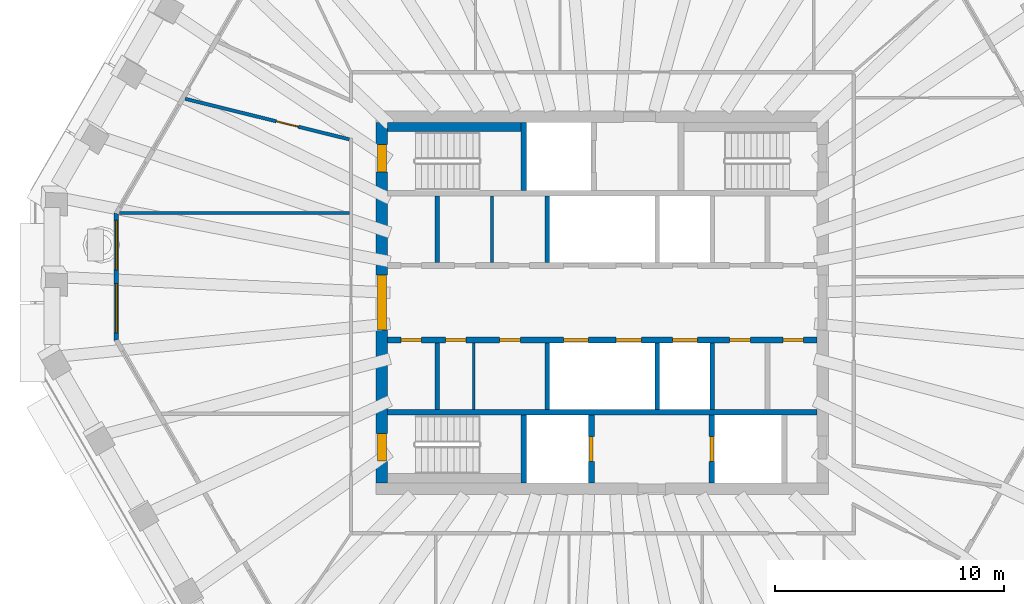
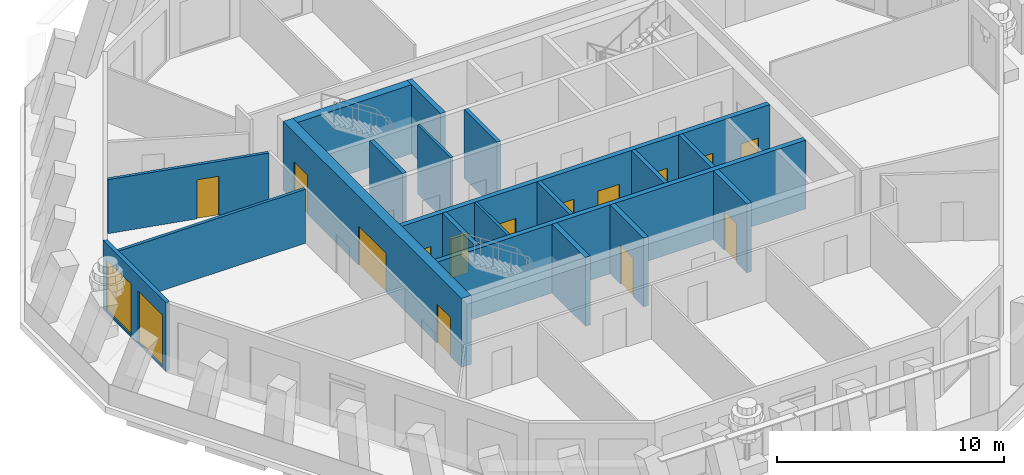
# One storey, part 4 of 11: 19 walls, 14 doors, 2 windows, 16 openings.
"""IFC4 building model written with IfcOpenShell, lengths in metres."""

from ifc_helpers import new_model, si_unit, direction, frame, frame_2d, origin, place, context, subcontext, project, spatial, polyline, rectangle, outline, extrude, material, layer, layer_set, type_object, element, fill, save


model = new_model("IFC4")

# Units and contexts
model_context = context("Model", 3, precision=1e-05, world=origin(), true_north=direction((0.0, 1.0)))
body_context = subcontext(model_context, "Body", "Model", "MODEL_VIEW")
ifc_project = project(units=[si_unit("LENGTHUNIT", "METRE"), si_unit("AREAUNIT", "SQUARE_METRE"), si_unit("VOLUMEUNIT", "CUBIC_METRE"), si_unit("PLANEANGLEUNIT", "RADIAN"), si_unit("MASSUNIT", "GRAM", prefix="KILO")], contexts=[model_context])

# Site, building, storey
site_placement = place(None, origin())
site = spatial("IfcSite", under=ifc_project, at=site_placement, CompositionType="ELEMENT")
building_placement = place(site_placement, origin())
building = spatial("IfcBuilding", under=site, at=building_placement, Name="Frailejon Research Tower", CompositionType="ELEMENT")
storey_placement = place(building_placement, frame((0.0, 0.0, 299.0)))
storey = spatial("IfcBuildingStorey", under=building, at=storey_placement, Name="L66", CompositionType="ELEMENT", Elevation=299.0)

# Walls
ifc_material_1 = material(Name="Plasterboard on steel studs", Category="steel")
ifc_layer_1 = layer(ifc_material_1, 0.125)
ifc_layer_set_1 = layer_set([ifc_layer_1], Name="Core partition 125")
wall_type_1 = type_object("IfcWallType", Name="Core partition 125", PredefinedType="PARTITIONING", material=ifc_layer_set_1)
for number, where, z_axis, x_axis, name in (
    (1, (-4.800048828125, 1.75, 0.0), (0.0, 0.0, 1.0), (0.0, 1.0, 0.0), "Core partition"),
    (2, (-5.60009765625, -4.64990234375, 0.0), (0.0, 0.0, 1.0), (0.0, 1.0, 0.0), "Core partition"),
):
    element("IfcWall", number, at=place(storey_placement, frame(where, z_axis=z_axis, x_axis=x_axis)), inside=storey, type_object=wall_type_1, Name=name, PredefinedType="PARTITIONING", context=body_context, shape_type="SweptSolid", body=[
        extrude(rectangle(XDim=2.89990234375, YDim=0.125, at=frame_2d((1.449951171875, 0.0))), origin(), (0.0, 0.0, 1.0), 3.699951171875),
    ])

# Wall, openings, doors
ifc_material_2 = material(Name="Concrete C50/60", Category="concrete")
ifc_layer_2 = layer(ifc_material_2, 0.5)
ifc_layer_set_2 = layer_set([ifc_layer_2], Name="Core shear wall 500 C50/60")
wall_type_2 = type_object("IfcWallType", Name="Core shear wall 500 C50/60", PredefinedType="SHEAR", material=ifc_layer_set_2)
wall_1_placement = place(storey_placement, frame((-9.60009765625, -7.85009765625, 0.0), z_axis=(0.0, 0.0, 1.0), x_axis=(0.0, 1.0, 0.0)))
wall_1 = element("IfcWall", 3, at=wall_1_placement, inside=storey, type_object=wall_type_2, Name="Core shear wall", PredefinedType="SHEAR", context=body_context, shape_type="SweptSolid", body=[
    extrude(rectangle(XDim=15.7001953125, YDim=0.5, at=frame_2d((7.85009765625, 0.0))), origin(), (0.0, 0.0, 1.0), 3.699951171875),
])
opening_1_placement = place(wall_1_placement, frame((6.64990234375, 0.0, 0.0)))
opening_1 = element("IfcOpeningElement", 4, at=opening_1_placement, cuts=wall_1, Name="Opening D2", PredefinedType="OPENING", context=body_context, shape_type="SweptSolid", body=[
    extrude(rectangle(XDim=2.39990234375, YDim=2.10009765625, at=frame_2d((1.199951171875, 1.050048828125))), frame((0.0, 0.260009765625, 0.0), z_axis=(0.0, -1.0, 0.0), x_axis=(1.0, 0.0, 0.0)), (0.0, 0.0, 1.0), 0.52001953125),
])
opening_2_placement = place(wall_1_placement, frame((13.550048828125, 0.0, 0.0)))
opening_2 = element("IfcOpeningElement", 5, at=opening_2_placement, cuts=wall_1, Name="Opening D1", PredefinedType="OPENING", context=body_context, shape_type="SweptSolid", body=[
    extrude(rectangle(XDim=1.199951171875, YDim=2.10009765625, at=frame_2d((0.60009765625, 1.050048828125))), frame((0.0, 0.260009765625, 0.0), z_axis=(0.0, -1.0, 0.0), x_axis=(1.0, 0.0, 0.0)), (0.0, 0.0, 1.0), 0.52001953125),
])
opening_3_placement = place(wall_1_placement, frame((0.949951171875, 0.0, 0.0)))
opening_3 = element("IfcOpeningElement", 6, at=opening_3_placement, cuts=wall_1, Name="Opening D1", PredefinedType="OPENING", context=body_context, shape_type="SweptSolid", body=[
    extrude(rectangle(XDim=1.199951171875, YDim=2.10009765625, at=frame_2d((0.60009765625, 1.050048828125))), frame((0.0, 0.260009765625, 0.0), z_axis=(0.0, -1.0, 0.0), x_axis=(1.0, 0.0, 0.0)), (0.0, 0.0, 1.0), 0.52001953125),
])
ifc_material_3 = material(Name="Steel", Category="steel")
door_type_1 = type_object("IfcDoorType", Name="Lobby double door", OperationType="DOUBLE_DOOR_SINGLE_SWING", PredefinedType="DOOR", material=ifc_material_3)
door_1_placement = place(opening_1_placement, origin())
door_1 = element("IfcDoor", 7, at=door_1_placement, inside=storey, type_object=door_type_1, Name="Lobby door", OperationType="DOUBLE_DOOR_SINGLE_SWING", OverallHeight=2.10009765625, OverallWidth=2.39990234375, PredefinedType="DOOR", context=body_context, shape_type="SweptSolid", body=[
    extrude(rectangle(XDim=2.39990234375, YDim=2.10009765625, at=frame_2d((1.199951171875, 1.050048828125))), frame((0.0, 0.199951171875, 0.0), z_axis=(0.0, -1.0, 0.0), x_axis=(1.0, 0.0, 0.0)), (0.0, 0.0, 1.0), 0.39990234375),
])
fill(opening_1, door_1)
ifc_material_4 = material(Name="Steel", Category="steel")
door_type_2 = type_object("IfcDoorType", Name="Stair door", OperationType="SINGLE_SWING_LEFT", PredefinedType="DOOR", material=ifc_material_4)
door_2_placement = place(opening_2_placement, origin())
door_2 = element("IfcDoor", 8, at=door_2_placement, inside=storey, type_object=door_type_2, Name="Stair door ST1", OperationType="SINGLE_SWING_LEFT", OverallHeight=2.10009765625, OverallWidth=1.199951171875, PredefinedType="DOOR", context=body_context, shape_type="SweptSolid", body=[
    extrude(rectangle(XDim=1.199951171875, YDim=2.10009765625, at=frame_2d((0.60009765625, 1.050048828125))), frame((0.0, 0.199951171875, 0.0), z_axis=(0.0, -1.0, 0.0), x_axis=(1.0, 0.0, 0.0)), (0.0, 0.0, 1.0), 0.39990234375),
])
fill(opening_2, door_2)
door_3_placement = place(opening_3_placement, origin())
door_3 = element("IfcDoor", 9, at=door_3_placement, inside=storey, type_object=door_type_2, Name="Stair door ST2", OperationType="SINGLE_SWING_RIGHT", OverallHeight=2.10009765625, OverallWidth=1.199951171875, PredefinedType="DOOR", context=body_context, shape_type="SweptSolid", body=[
    extrude(rectangle(XDim=1.199951171875, YDim=2.10009765625, at=frame_2d((0.60009765625, 1.050048828125))), frame((0.0, 0.199951171875, 0.0), z_axis=(0.0, -1.0, 0.0), x_axis=(1.0, 0.0, 0.0)), (0.0, 0.0, 1.0), 0.39990234375),
])
fill(opening_3, door_3)

# Wall, opening, door
ifc_material_5 = material(Name="Gypsum board and masonry partition", Category="masonry")
ifc_layer_3 = layer(ifc_material_5, 0.14990234375)
ifc_layer_set_3 = layer_set([ifc_layer_3], Name="Corridor wall EI 60, gypsum on steel studs 150")
wall_type_3 = type_object("IfcWallType", Name="Corridor wall EI 60, gypsum on steel studs 150", PredefinedType="PARTITIONING", material=ifc_layer_set_3)
wall_2_placement = place(storey_placement, frame((-18.173828125, 8.884521484375, 0.0), z_axis=(0.0, 0.0, 1.0), x_axis=(0.970815249567, -0.239828587138, 0.0)))
wall_2 = element("IfcWall", 10, at=wall_2_placement, inside=storey, type_object=wall_type_3, Name="T:IW:L66:002", PredefinedType="PARTITIONING", context=body_context, shape_type="SweptSolid", body=[
    extrude(rectangle(XDim=7.3662109375, YDim=0.14990234375, at=frame_2d((3.68310546875, 0.0))), origin(), (0.0, 0.0, 1.0), 2.89990234375),
])
opening_4_placement = place(wall_2_placement, frame((4.081787109375, 0.0, 0.0)))
opening_4 = element("IfcOpeningElement", 11, at=opening_4_placement, cuts=wall_2, Name="Opening D2272", PredefinedType="OPENING", context=body_context, shape_type="SweptSolid", body=[
    extrude(rectangle(XDim=1.0, YDim=2.10009765625, at=frame_2d((0.5, 1.050048828125))), frame((0.0, 0.0849609375, 0.0), z_axis=(0.0, -1.0, 0.0), x_axis=(1.0, 0.0, 0.0)), (0.0, 0.0, 1.0), 0.169921875),
])
ifc_material_6 = material(Name="Timber door leaf", Category="wood")
door_type_3 = type_object("IfcDoorType", Name="Door single leaf, timber, steel frame 1000", OperationType="NOTDEFINED", PredefinedType="DOOR", material=ifc_material_6)
door_4_placement = place(opening_4_placement, origin())
door_4 = element("IfcDoor", 12, at=door_4_placement, inside=storey, type_object=door_type_3, Name="D2272", OperationType="SINGLE_SWING_RIGHT", OverallHeight=2.10009765625, OverallWidth=1.0, PredefinedType="DOOR", context=body_context, shape_type="SweptSolid", body=[
    extrude(rectangle(XDim=1.0, YDim=2.10009765625, at=frame_2d((0.5, 1.050048828125))), frame((0.0, 0.02490234375, 0.0), z_axis=(0.0, -1.0, 0.0), x_axis=(1.0, 0.0, 0.0)), (0.0, 0.0, 1.0), 0.050048828125),
])
fill(opening_4, door_4)

# Walls
ifc_material_7 = material(Name="Gypsum board and masonry partition", Category="masonry")
ifc_layer_4 = layer(ifc_material_7, 0.14990234375)
ifc_layer_set_4 = layer_set([ifc_layer_4], Name="Laboratory partition, blockwork 150")
wall_type_4 = type_object("IfcWallType", Name="Laboratory partition, blockwork 150", PredefinedType="PARTITIONING", material=ifc_layer_set_4)
wall_3_placement = place(storey_placement, frame((-21.046142578125, 3.909912109375, 0.0), z_axis=(0.0, 0.0, 1.0), x_axis=(1.0, 0.0, 0.0)))
element("IfcWall", 13, at=wall_3_placement, inside=storey, type_object=wall_type_4, Name="T:IW:L66:011", PredefinedType="PARTITIONING", context=body_context, shape_type="SweptSolid", body=[
    extrude(rectangle(XDim=10.021240234375, YDim=0.14990234375, at=frame_2d((5.0107421875, 0.0))), origin(), (0.0, 0.0, 1.0), 2.89990234375),
])
ifc_material_8 = material(Name="Concrete C50/60", Category="concrete")
ifc_layer_5 = layer(ifc_material_8, 0.199951171875)
ifc_layer_set_5 = layer_set([ifc_layer_5], Name="Shaft wall 200 C50/60")
wall_type_5 = type_object("IfcWallType", Name="Shaft wall 200 C50/60", PredefinedType="SOLIDWALL", material=ifc_layer_set_5)
for number, where, z_axis, x_axis, name in (
    (14, (-7.199951171875, 1.75, 0.0), (0.0, 0.0, 1.0), (0.0, 1.0, 0.0), "Shaft wall"),
    (15, (-2.39990234375, 1.75, 0.0), (0.0, 0.0, 1.0), (0.0, 1.0, 0.0), "Shaft wall"),
    (16, (-7.199951171875, -4.64990234375, 0.0), (0.0, 0.0, 1.0), (0.0, 1.0, 0.0), "Shaft wall"),
    (17, (-2.39990234375, -4.64990234375, 0.0), (0.0, 0.0, 1.0), (0.0, 1.0, 0.0), "Shaft wall"),
    (18, (2.39990234375, -4.64990234375, 0.0), (0.0, 0.0, 1.0), (0.0, 1.0, 0.0), "Shaft wall"),
    (19, (4.800048828125, -4.64990234375, 0.0), (0.0, 0.0, 1.0), (0.0, 1.0, 0.0), "Shaft wall"),
):
    element("IfcWall", number, at=place(storey_placement, frame(where, z_axis=z_axis, x_axis=x_axis)), inside=storey, type_object=wall_type_5, Name=name, PredefinedType="SOLIDWALL", context=body_context, shape_type="SweptSolid", body=[
        extrude(rectangle(XDim=2.89990234375, YDim=0.199951171875, at=frame_2d((1.449951171875, 0.0))), origin(), (0.0, 0.0, 1.0), 3.699951171875),
    ])

# Wall, openings, doors
ifc_material_9 = material(Name="Concrete C50/60", Category="concrete")
ifc_layer_6 = layer(ifc_material_9, 0.25)
ifc_layer_set_6 = layer_set([ifc_layer_6], Name="Shaft wall 250 C50/60")
wall_type_6 = type_object("IfcWallType", Name="Shaft wall 250 C50/60", PredefinedType="SOLIDWALL", material=ifc_layer_set_6)
wall_4_placement = place(storey_placement, frame((-9.35009765625, -1.625, 0.0), z_axis=(0.0, 0.0, 1.0), x_axis=(1.0, 0.0, 0.0)))
wall_4 = element("IfcWall", 20, at=wall_4_placement, inside=storey, type_object=wall_type_6, Name="Shaft wall", PredefinedType="SOLIDWALL", context=body_context, shape_type="SweptSolid", body=[
    extrude(rectangle(XDim=18.7001953125, YDim=0.25, at=frame_2d((9.35009765625, 0.0))), origin(), (0.0, 0.0, 1.0), 3.699951171875),
])
opening_5_placement = place(wall_4_placement, frame((7.64990234375, 0.0, 0.0)))
opening_5 = element("IfcOpeningElement", 21, at=opening_5_placement, cuts=wall_4, Name="Opening LD", PredefinedType="OPENING", context=body_context, shape_type="SweptSolid", body=[
    extrude(rectangle(XDim=1.10009765625, YDim=2.10009765625, at=frame_2d((0.550048828125, 1.050048828125))), frame((0.0, 0.135009765625, 0.0), z_axis=(0.0, -1.0, 0.0), x_axis=(1.0, 0.0, 0.0)), (0.0, 0.0, 1.0), 0.27001953125),
])
opening_6_placement = place(wall_4_placement, frame((9.949951171875, 0.0, 0.0)))
opening_6 = element("IfcOpeningElement", 22, at=opening_6_placement, cuts=wall_4, Name="Opening LD", PredefinedType="OPENING", context=body_context, shape_type="SweptSolid", body=[
    extrude(rectangle(XDim=1.10009765625, YDim=2.10009765625, at=frame_2d((0.550048828125, 1.050048828125))), frame((0.0, 0.135009765625, 0.0), z_axis=(0.0, -1.0, 0.0), x_axis=(1.0, 0.0, 0.0)), (0.0, 0.0, 1.0), 0.27001953125),
])
opening_7_placement = place(wall_4_placement, frame((12.39990234375, 0.0, 0.0)))
opening_7 = element("IfcOpeningElement", 23, at=opening_7_placement, cuts=wall_4, Name="Opening LD", PredefinedType="OPENING", context=body_context, shape_type="SweptSolid", body=[
    extrude(rectangle(XDim=1.10009765625, YDim=2.10009765625, at=frame_2d((0.550048828125, 1.050048828125))), frame((0.0, 0.135009765625, 0.0), z_axis=(0.0, -1.0, 0.0), x_axis=(1.0, 0.0, 0.0)), (0.0, 0.0, 1.0), 0.27001953125),
])
opening_8_placement = place(wall_4_placement, frame((0.574951171875, 0.0, 0.0)))
opening_8 = element("IfcOpeningElement", 24, at=opening_8_placement, cuts=wall_4, Name="Opening D8", PredefinedType="OPENING", context=body_context, shape_type="SweptSolid", body=[
    extrude(rectangle(XDim=0.89990234375, YDim=2.10009765625, at=frame_2d((0.449951171875, 1.050048828125))), frame((0.0, 0.135009765625, 0.0), z_axis=(0.0, -1.0, 0.0), x_axis=(1.0, 0.0, 0.0)), (0.0, 0.0, 1.0), 0.27001953125),
])
opening_9_placement = place(wall_4_placement, frame((2.518798828125, 0.0, 0.0)))
opening_9 = element("IfcOpeningElement", 25, at=opening_9_placement, cuts=wall_4, Name="Opening D8", PredefinedType="OPENING", context=body_context, shape_type="SweptSolid", body=[
    extrude(rectangle(XDim=0.89990234375, YDim=2.10009765625, at=frame_2d((0.449951171875, 1.050048828125))), frame((0.0, 0.135009765625, 0.0), z_axis=(0.0, -1.0, 0.0), x_axis=(1.0, 0.0, 0.0)), (0.0, 0.0, 1.0), 0.27001953125),
])
opening_10_placement = place(wall_4_placement, frame((4.881103515625, 0.0, 0.0)))
opening_10 = element("IfcOpeningElement", 26, at=opening_10_placement, cuts=wall_4, Name="Opening D8", PredefinedType="OPENING", context=body_context, shape_type="SweptSolid", body=[
    extrude(rectangle(XDim=0.89990234375, YDim=2.10009765625, at=frame_2d((0.449951171875, 1.050048828125))), frame((0.0, 0.135009765625, 0.0), z_axis=(0.0, -1.0, 0.0), x_axis=(1.0, 0.0, 0.0)), (0.0, 0.0, 1.0), 0.27001953125),
])
opening_11_placement = place(wall_4_placement, frame((14.89990234375, 0.0, 0.0)))
opening_11 = element("IfcOpeningElement", 27, at=opening_11_placement, cuts=wall_4, Name="Opening D8", PredefinedType="OPENING", context=body_context, shape_type="SweptSolid", body=[
    extrude(rectangle(XDim=0.89990234375, YDim=2.10009765625, at=frame_2d((0.449951171875, 1.050048828125))), frame((0.0, 0.135009765625, 0.0), z_axis=(0.0, -1.0, 0.0), x_axis=(1.0, 0.0, 0.0)), (0.0, 0.0, 1.0), 0.27001953125),
])
opening_12_placement = place(wall_4_placement, frame((17.22509765625, 0.0, 0.0)))
opening_12 = element("IfcOpeningElement", 28, at=opening_12_placement, cuts=wall_4, Name="Opening D8", PredefinedType="OPENING", context=body_context, shape_type="SweptSolid", body=[
    extrude(rectangle(XDim=0.89990234375, YDim=2.10009765625, at=frame_2d((0.449951171875, 1.050048828125))), frame((0.0, 0.135009765625, 0.0), z_axis=(0.0, -1.0, 0.0), x_axis=(1.0, 0.0, 0.0)), (0.0, 0.0, 1.0), 0.27001953125),
])
ifc_material_10 = material(Name="Steel", Category="steel")
door_type_4 = type_object("IfcDoorType", Name="Core room door", OperationType="SINGLE_SWING_LEFT", PredefinedType="DOOR", material=ifc_material_10)
door_5_placement = place(opening_8_placement, origin())
door_5 = element("IfcDoor", 29, at=door_5_placement, inside=storey, type_object=door_type_4, Name="Room door", OperationType="SINGLE_SWING_RIGHT", OverallHeight=2.10009765625, OverallWidth=0.89990234375, PredefinedType="DOOR", context=body_context, shape_type="SweptSolid", body=[
    extrude(rectangle(XDim=0.89990234375, YDim=2.10009765625, at=frame_2d((0.449951171875, 1.050048828125))), frame((0.0, 0.074951171875, 0.0), z_axis=(0.0, -1.0, 0.0), x_axis=(1.0, 0.0, 0.0)), (0.0, 0.0, 1.0), 0.14990234375),
])
fill(opening_8, door_5)
door_6_placement = place(opening_9_placement, origin())
door_6 = element("IfcDoor", 30, at=door_6_placement, inside=storey, type_object=door_type_4, Name="Room door", OperationType="SINGLE_SWING_LEFT", OverallHeight=2.10009765625, OverallWidth=0.89990234375, PredefinedType="DOOR", context=body_context, shape_type="SweptSolid", body=[
    extrude(rectangle(XDim=0.89990234375, YDim=2.10009765625, at=frame_2d((0.449951171875, 1.050048828125))), frame((0.0, 0.074951171875, 0.0), z_axis=(0.0, -1.0, 0.0), x_axis=(1.0, 0.0, 0.0)), (0.0, 0.0, 1.0), 0.14990234375),
])
fill(opening_9, door_6)
door_7_placement = place(opening_10_placement, origin())
door_7 = element("IfcDoor", 31, at=door_7_placement, inside=storey, type_object=door_type_4, Name="Room door", OperationType="SINGLE_SWING_RIGHT", OverallHeight=2.10009765625, OverallWidth=0.89990234375, PredefinedType="DOOR", context=body_context, shape_type="SweptSolid", body=[
    extrude(rectangle(XDim=0.89990234375, YDim=2.10009765625, at=frame_2d((0.449951171875, 1.050048828125))), frame((0.0, 0.074951171875, 0.0), z_axis=(0.0, -1.0, 0.0), x_axis=(1.0, 0.0, 0.0)), (0.0, 0.0, 1.0), 0.14990234375),
])
fill(opening_10, door_7)
door_8_placement = place(opening_11_placement, origin())
door_8 = element("IfcDoor", 32, at=door_8_placement, inside=storey, type_object=door_type_4, Name="Room door", OperationType="SINGLE_SWING_LEFT", OverallHeight=2.10009765625, OverallWidth=0.89990234375, PredefinedType="DOOR", context=body_context, shape_type="SweptSolid", body=[
    extrude(rectangle(XDim=0.89990234375, YDim=2.10009765625, at=frame_2d((0.449951171875, 1.050048828125))), frame((0.0, 0.074951171875, 0.0), z_axis=(0.0, -1.0, 0.0), x_axis=(1.0, 0.0, 0.0)), (0.0, 0.0, 1.0), 0.14990234375),
])
fill(opening_11, door_8)
door_9_placement = place(opening_12_placement, origin())
door_9 = element("IfcDoor", 33, at=door_9_placement, inside=storey, type_object=door_type_4, Name="Room door", OperationType="SINGLE_SWING_RIGHT", OverallHeight=2.10009765625, OverallWidth=0.89990234375, PredefinedType="DOOR", context=body_context, shape_type="SweptSolid", body=[
    extrude(rectangle(XDim=0.89990234375, YDim=2.10009765625, at=frame_2d((0.449951171875, 1.050048828125))), frame((0.0, 0.074951171875, 0.0), z_axis=(0.0, -1.0, 0.0), x_axis=(1.0, 0.0, 0.0)), (0.0, 0.0, 1.0), 0.14990234375),
])
fill(opening_12, door_9)
ifc_material_11 = material(Name="Steel", Category="steel")
door_type_5 = type_object("IfcDoorType", Name="Lift landing door", OperationType="DOUBLE_DOOR_SLIDING", PredefinedType="DOOR", material=ifc_material_11)
door_10_placement = place(opening_5_placement, origin())
door_10 = element("IfcDoor", 34, at=door_10_placement, inside=storey, type_object=door_type_5, Name="Lift landing door", OperationType="DOUBLE_DOOR_SLIDING", OverallHeight=2.10009765625, OverallWidth=1.10009765625, PredefinedType="DOOR", context=body_context, shape_type="SweptSolid", body=[
    extrude(rectangle(XDim=1.10009765625, YDim=2.10009765625, at=frame_2d((0.550048828125, 1.050048828125))), frame((0.0, 0.074951171875, 0.0), z_axis=(0.0, -1.0, 0.0), x_axis=(1.0, 0.0, 0.0)), (0.0, 0.0, 1.0), 0.14990234375),
])
fill(opening_5, door_10)
door_11_placement = place(opening_6_placement, origin())
door_11 = element("IfcDoor", 35, at=door_11_placement, inside=storey, type_object=door_type_5, Name="Lift landing door", OperationType="DOUBLE_DOOR_SLIDING", OverallHeight=2.10009765625, OverallWidth=1.10009765625, PredefinedType="DOOR", context=body_context, shape_type="SweptSolid", body=[
    extrude(rectangle(XDim=1.10009765625, YDim=2.10009765625, at=frame_2d((0.550048828125, 1.050048828125))), frame((0.0, 0.074951171875, 0.0), z_axis=(0.0, -1.0, 0.0), x_axis=(1.0, 0.0, 0.0)), (0.0, 0.0, 1.0), 0.14990234375),
])
fill(opening_6, door_11)
door_12_placement = place(opening_7_placement, origin())
door_12 = element("IfcDoor", 36, at=door_12_placement, inside=storey, type_object=door_type_5, Name="Lift landing door", OperationType="DOUBLE_DOOR_SLIDING", OverallHeight=2.10009765625, OverallWidth=1.10009765625, PredefinedType="DOOR", context=body_context, shape_type="SweptSolid", body=[
    extrude(rectangle(XDim=1.10009765625, YDim=2.10009765625, at=frame_2d((0.550048828125, 1.050048828125))), frame((0.0, 0.074951171875, 0.0), z_axis=(0.0, -1.0, 0.0), x_axis=(1.0, 0.0, 0.0)), (0.0, 0.0, 1.0), 0.14990234375),
])
fill(opening_7, door_12)

# Walls
wall_5_placement = place(storey_placement, frame((-9.35009765625, -4.77490234375, 0.0), z_axis=(0.0, 0.0, 1.0), x_axis=(1.0, 0.0, 0.0)))
element("IfcWall", 37, at=wall_5_placement, inside=storey, type_object=wall_type_6, Name="Shaft wall", PredefinedType="SOLIDWALL", context=body_context, shape_type="SweptSolid", body=[
    extrude(rectangle(XDim=18.7001953125, YDim=0.25, at=frame_2d((9.35009765625, 0.0))), origin(), (0.0, 0.0, 1.0), 3.699951171875),
])
for number, where, z_axis, x_axis, name in (
    (38, (-3.425048828125, 4.89990234375, 0.0), (0.0, 0.0, 1.0), (0.0, 1.0, 0.0), "Shaft wall"),
    (39, (-3.425048828125, -7.85009765625, 0.0), (0.0, 0.0, 1.0), (0.0, 1.0, 0.0), "Shaft wall"),
):
    element("IfcWall", number, at=place(storey_placement, frame(where, z_axis=z_axis, x_axis=x_axis)), inside=storey, type_object=wall_type_6, Name=name, PredefinedType="SOLIDWALL", context=body_context, shape_type="SweptSolid", body=[
        extrude(rectangle(XDim=2.9501953125, YDim=0.25, at=frame_2d((1.47509765625, 0.0))), origin(), (0.0, 0.0, 1.0), 3.699951171875),
    ])

# Wall, opening, door
wall_6_placement = place(storey_placement, frame((-0.47509765625, -7.85009765625, 0.0), z_axis=(0.0, 0.0, 1.0), x_axis=(0.0, 1.0, 0.0)))
wall_6 = element("IfcWall", 40, at=wall_6_placement, inside=storey, type_object=wall_type_6, Name="Shaft wall", PredefinedType="SOLIDWALL", context=body_context, shape_type="SweptSolid", body=[
    extrude(rectangle(XDim=2.9501953125, YDim=0.25, at=frame_2d((1.47509765625, 0.0))), origin(), (0.0, 0.0, 1.0), 3.699951171875),
])
opening_13_placement = place(wall_6_placement, frame((0.925048828125, 0.0, 0.0)))
opening_13 = element("IfcOpeningElement", 41, at=opening_13_placement, cuts=wall_6, Name="Opening LD", PredefinedType="OPENING", context=body_context, shape_type="SweptSolid", body=[
    extrude(rectangle(XDim=1.10009765625, YDim=2.10009765625, at=frame_2d((0.550048828125, 1.050048828125))), frame((0.0, 0.135009765625, 0.0), z_axis=(0.0, -1.0, 0.0), x_axis=(1.0, 0.0, 0.0)), (0.0, 0.0, 1.0), 0.27001953125),
])
door_13_placement = place(opening_13_placement, origin())
door_13 = element("IfcDoor", 42, at=door_13_placement, inside=storey, type_object=door_type_5, Name="Lift landing door", OperationType="DOUBLE_DOOR_SLIDING", OverallHeight=2.10009765625, OverallWidth=1.10009765625, PredefinedType="DOOR", context=body_context, shape_type="SweptSolid", body=[
    extrude(rectangle(XDim=1.10009765625, YDim=2.10009765625, at=frame_2d((0.550048828125, 1.050048828125))), frame((0.0, 0.074951171875, 0.0), z_axis=(0.0, -1.0, 0.0), x_axis=(1.0, 0.0, 0.0)), (0.0, 0.0, 1.0), 0.14990234375),
])
fill(opening_13, door_13)

wall_7_placement = place(storey_placement, frame((4.77490234375, -7.85009765625, 0.0), z_axis=(0.0, 0.0, 1.0), x_axis=(0.0, 1.0, 0.0)))
wall_7 = element("IfcWall", 43, at=wall_7_placement, inside=storey, type_object=wall_type_6, Name="Shaft wall", PredefinedType="SOLIDWALL", context=body_context, shape_type="SweptSolid", body=[
    extrude(rectangle(XDim=2.9501953125, YDim=0.25, at=frame_2d((1.47509765625, 0.0))), origin(), (0.0, 0.0, 1.0), 3.699951171875),
])
opening_14_placement = place(wall_7_placement, frame((0.925048828125, 0.0, 0.0)))
opening_14 = element("IfcOpeningElement", 44, at=opening_14_placement, cuts=wall_7, Name="Opening LD", PredefinedType="OPENING", context=body_context, shape_type="SweptSolid", body=[
    extrude(rectangle(XDim=1.10009765625, YDim=2.10009765625, at=frame_2d((0.550048828125, 1.050048828125))), frame((0.0, 0.135009765625, 0.0), z_axis=(0.0, -1.0, 0.0), x_axis=(1.0, 0.0, 0.0)), (0.0, 0.0, 1.0), 0.27001953125),
])
door_14_placement = place(opening_14_placement, origin())
door_14 = element("IfcDoor", 45, at=door_14_placement, inside=storey, type_object=door_type_5, Name="Lift landing door", OperationType="DOUBLE_DOOR_SLIDING", OverallHeight=2.10009765625, OverallWidth=1.10009765625, PredefinedType="DOOR", context=body_context, shape_type="SweptSolid", body=[
    extrude(rectangle(XDim=1.10009765625, YDim=2.10009765625, at=frame_2d((0.550048828125, 1.050048828125))), frame((0.0, 0.074951171875, 0.0), z_axis=(0.0, -1.0, 0.0), x_axis=(1.0, 0.0, 0.0)), (0.0, 0.0, 1.0), 0.14990234375),
])
fill(opening_14, door_14)

# Wall
ifc_material_12 = material(Name="Concrete C50/60", Category="concrete")
ifc_layer_7 = layer(ifc_material_12, 0.39990234375)
ifc_layer_set_7 = layer_set([ifc_layer_7], Name="Shaft wall 400 C50/60")
wall_type_7 = type_object("IfcWallType", Name="Shaft wall 400 C50/60", PredefinedType="SOLIDWALL", material=ifc_layer_set_7)
wall_8_placement = place(storey_placement, frame((-9.35009765625, 7.64990234375, 0.0), z_axis=(0.0, 0.0, 1.0), x_axis=(1.0, 0.0, 0.0)))
element("IfcWall", 46, at=wall_8_placement, inside=storey, type_object=wall_type_7, Name="Shaft wall", PredefinedType="SOLIDWALL", context=body_context, shape_type="SweptSolid", body=[
    extrude(rectangle(XDim=5.800048828125, YDim=0.39990234375, at=frame_2d((2.89990234375, 0.0))), origin(), (0.0, 0.0, 1.0), 3.699951171875),
])

# Wall, openings, windows
ifc_material_13 = material(Name="Concrete C40/50 precast window wall panel", Category="concrete")
ifc_layer_8 = layer(ifc_material_13, 0.199951171875)
ifc_layer_set_8 = layer_set([ifc_layer_8], Name="Window wall 200")
wall_type_8 = type_object("IfcWallType", Name="Window wall 200", PredefinedType="SOLIDWALL", material=ifc_layer_set_8)
wall_9_placement = place(storey_placement, frame((-21.177001953125, 3.883056640625, 0.0), z_axis=(0.0, 0.0, 1.0), x_axis=(0.0, -1.0, 0.0)))
wall_9 = element("IfcWall", 47, at=wall_9_placement, inside=storey, type_object=wall_type_8, Name="Exterior wall L66", PredefinedType="SOLIDWALL", context=body_context, shape_type="SweptSolid", body=[
    extrude(outline(polyline([(-0.02685546875, -0.10009765625), (1.08447265625, -0.10009765625), (2.196044921875, -0.10009765625), (3.307373046875, -0.10009765625), (4.4189453125, -0.10009765625), (5.5302734375, -0.10009765625), (5.4765625, 0.10009765625), (4.38671875, 0.10009765625), (3.296630859375, 0.10009765625), (2.206787109375, 0.10009765625), (1.11669921875, 0.10009765625), (0.02685546875, 0.10009765625), (-0.02685546875, -0.10009765625)])), origin(), (0.0, 0.0, 1.0), 3.699951171875),
])
opening_15_placement = place(wall_9_placement, frame((0.30078125, 0.0, 0.10009765625)))
opening_15 = element("IfcOpeningElement", 48, at=opening_15_placement, cuts=wall_9, Name="Opening W22", PredefinedType="OPENING", context=body_context, shape_type="SweptSolid", body=[
    extrude(rectangle(XDim=2.14990234375, YDim=2.75, at=frame_2d((1.074951171875, 1.375))), frame((0.0, 0.10986328125, 0.0), z_axis=(0.0, -1.0, 0.0), x_axis=(1.0, 0.0, 0.0)), (0.0, 0.0, 1.0), 0.219970703125),
])
opening_16_placement = place(wall_9_placement, frame((3.052490234375, 0.0, 0.10009765625)))
opening_16 = element("IfcOpeningElement", 49, at=opening_16_placement, cuts=wall_9, Name="Opening W22", PredefinedType="OPENING", context=body_context, shape_type="SweptSolid", body=[
    extrude(rectangle(XDim=2.14990234375, YDim=2.75, at=frame_2d((1.074951171875, 1.375))), frame((0.0, 0.10986328125, 0.0), z_axis=(0.0, -1.0, 0.0), x_axis=(1.0, 0.0, 0.0)), (0.0, 0.0, 1.0), 0.219970703125),
])
ifc_material_14 = material(Name="Aluminium framed double glazing", Category="aluminium")
window_type = type_object("IfcWindowType", Name="Window 2150x2750", PartitioningType="SINGLE_PANEL", PredefinedType="WINDOW", material=ifc_material_14)
window_1_placement = place(opening_15_placement, origin())
window_1 = element("IfcWindow", 50, at=window_1_placement, inside=storey, type_object=window_type, Name="Window L66", OverallHeight=2.75, OverallWidth=2.14990234375, PartitioningType="SINGLE_PANEL", PredefinedType="WINDOW", context=body_context, shape_type="SweptSolid", body=[
    extrude(rectangle(XDim=2.14990234375, YDim=2.75, at=frame_2d((1.074951171875, 1.375))), frame((0.0, 0.030029296875, 0.0), z_axis=(0.0, -1.0, 0.0), x_axis=(1.0, 0.0, 0.0)), (0.0, 0.0, 1.0), 0.06005859375),
])
fill(opening_15, window_1)
window_2_placement = place(opening_16_placement, origin())
window_2 = element("IfcWindow", 51, at=window_2_placement, inside=storey, type_object=window_type, Name="Window L66", OverallHeight=2.75, OverallWidth=2.14990234375, PartitioningType="SINGLE_PANEL", PredefinedType="WINDOW", context=body_context, shape_type="SweptSolid", body=[
    extrude(rectangle(XDim=2.14990234375, YDim=2.75, at=frame_2d((1.074951171875, 1.375))), frame((0.0, 0.030029296875, 0.0), z_axis=(0.0, -1.0, 0.0), x_axis=(1.0, 0.0, 0.0)), (0.0, 0.0, 1.0), 0.06005859375),
])
fill(opening_16, window_2)

save(model, "model.ifc")
